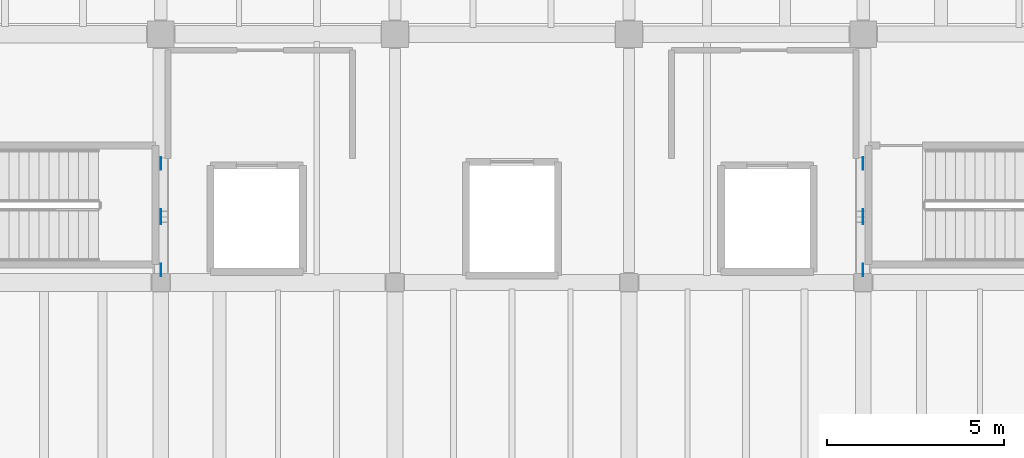
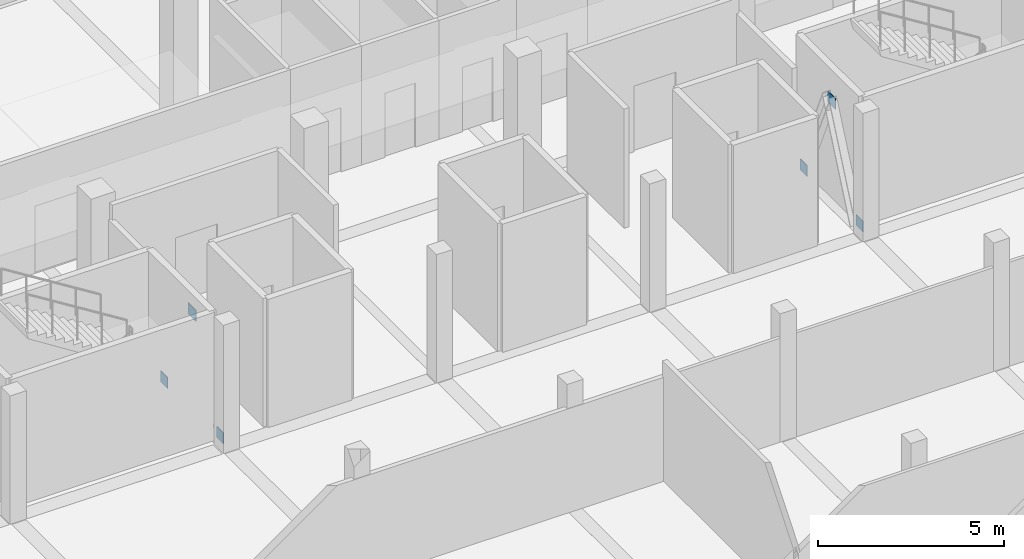
# One storey, part 46 of 65: 6 plates.
"""IFC4 building model written with IfcOpenShell, lengths in metres."""

from ifc_helpers import new_model, si_unit, direction, frame, origin, origin_2d, place, context, subcontext, project, spatial, rectangle, extrude, material, layer, layer_set, type_object, element, save


model = new_model("IFC4")

# Units and contexts
model_context = context("Model", 3, precision=1e-05, world=origin(), true_north=direction((0.0, 1.0)))
body_context = subcontext(model_context, "Body", "Model", "MODEL_VIEW")
ifc_project = project(units=[si_unit("LENGTHUNIT", "METRE"), si_unit("AREAUNIT", "SQUARE_METRE"), si_unit("VOLUMEUNIT", "CUBIC_METRE"), si_unit("PLANEANGLEUNIT", "RADIAN"), si_unit("MASSUNIT", "GRAM", prefix="KILO")], contexts=[model_context])

# Site, building, storey
site_placement = place(None, origin())
site = spatial("IfcSite", under=ifc_project, at=site_placement, CompositionType="ELEMENT")
building_placement = place(site_placement, origin())
building = spatial("IfcBuilding", under=site, at=building_placement, Name="Ciguamira Faculty of Natural Sciences", CompositionType="ELEMENT")
storey_placement = place(building_placement, frame((0.0, 0.0, 12.60009765625)))
storey = spatial("IfcBuildingStorey", under=building, at=storey_placement, Name="L03", CompositionType="ELEMENT", Elevation=12.60009765625)

# Plates
ifc_material = material(Name="Steel ASTM A572 Grade 50", Category="steel")
ifc_layer = layer(ifc_material, 0.02001953125, Name="Steel ASTM A572 Grade 50")
ifc_layer_set = layer_set([ifc_layer], Name="Steel ASTM A572 Grade 50")
plate_type = type_object("IfcPlateType", Name="GussetPlate_EP-02", PredefinedType="SHEET", material=ifc_layer_set)
plate_1_placement = place(storey_placement, frame((77.10009765625, 95.85009765625, 3.099609375), z_axis=(0.0, 0.0, 1.0), x_axis=(1.0, 0.0, 0.0)))
element("IfcPlate", 1, at=plate_1_placement, inside=storey, type_object=plate_type, Name="L03 chevron brace apex gusset plate 009", PredefinedType="SHEET", context=body_context, shape_type="SweptSolid", body=[
    extrude(rectangle(XDim=0.02001953125, YDim=0.419921875, at=origin_2d()), origin(), (0.0, 0.0, 1.0), 0.360107421875),
])
for number, where, z_axis, x_axis, name in (
    (2, (77.10009765625, 94.35009765625, -0.02001953125), (0.0, 0.0, 1.0), (1.0, 0.0, 0.0), "L03 chevron brace base gusset plate 017"),
    (3, (77.10009765625, 97.35009765625, -0.02001953125), (0.0, 0.0, 1.0), (1.0, 0.0, 0.0), "L03 chevron brace base gusset plate 018"),
):
    element("IfcPlate", number, at=place(storey_placement, frame(where, z_axis=z_axis, x_axis=x_axis)), inside=storey, type_object=plate_type, Name=name, PredefinedType="SHEET", context=body_context, shape_type="SweptSolid", body=[
        extrude(rectangle(XDim=0.02001953125, YDim=0.360107421875, at=origin_2d()), origin(), (0.0, 0.0, 1.0), 0.360107421875),
    ])
plate_2_placement = place(storey_placement, frame((96.89990234375, 95.85009765625, 3.099609375), z_axis=(0.0, 0.0, 1.0), x_axis=(1.0, 0.0, 0.0)))
element("IfcPlate", 4, at=plate_2_placement, inside=storey, type_object=plate_type, Name="L03 chevron brace apex gusset plate 010", PredefinedType="SHEET", context=body_context, shape_type="SweptSolid", body=[
    extrude(rectangle(XDim=0.02001953125, YDim=0.419921875, at=origin_2d()), origin(), (0.0, 0.0, 1.0), 0.360107421875),
])
for number, where, z_axis, x_axis, name in (
    (5, (96.89990234375, 94.35009765625, -0.02001953125), (0.0, 0.0, 1.0), (1.0, 0.0, 0.0), "L03 chevron brace base gusset plate 019"),
    (6, (96.89990234375, 97.35009765625, -0.02001953125), (0.0, 0.0, 1.0), (1.0, 0.0, 0.0), "L03 chevron brace base gusset plate 020"),
):
    element("IfcPlate", number, at=place(storey_placement, frame(where, z_axis=z_axis, x_axis=x_axis)), inside=storey, type_object=plate_type, Name=name, PredefinedType="SHEET", context=body_context, shape_type="SweptSolid", body=[
        extrude(rectangle(XDim=0.02001953125, YDim=0.360107421875, at=origin_2d()), origin(), (0.0, 0.0, 1.0), 0.360107421875),
    ])

save(model, "model.ifc")
